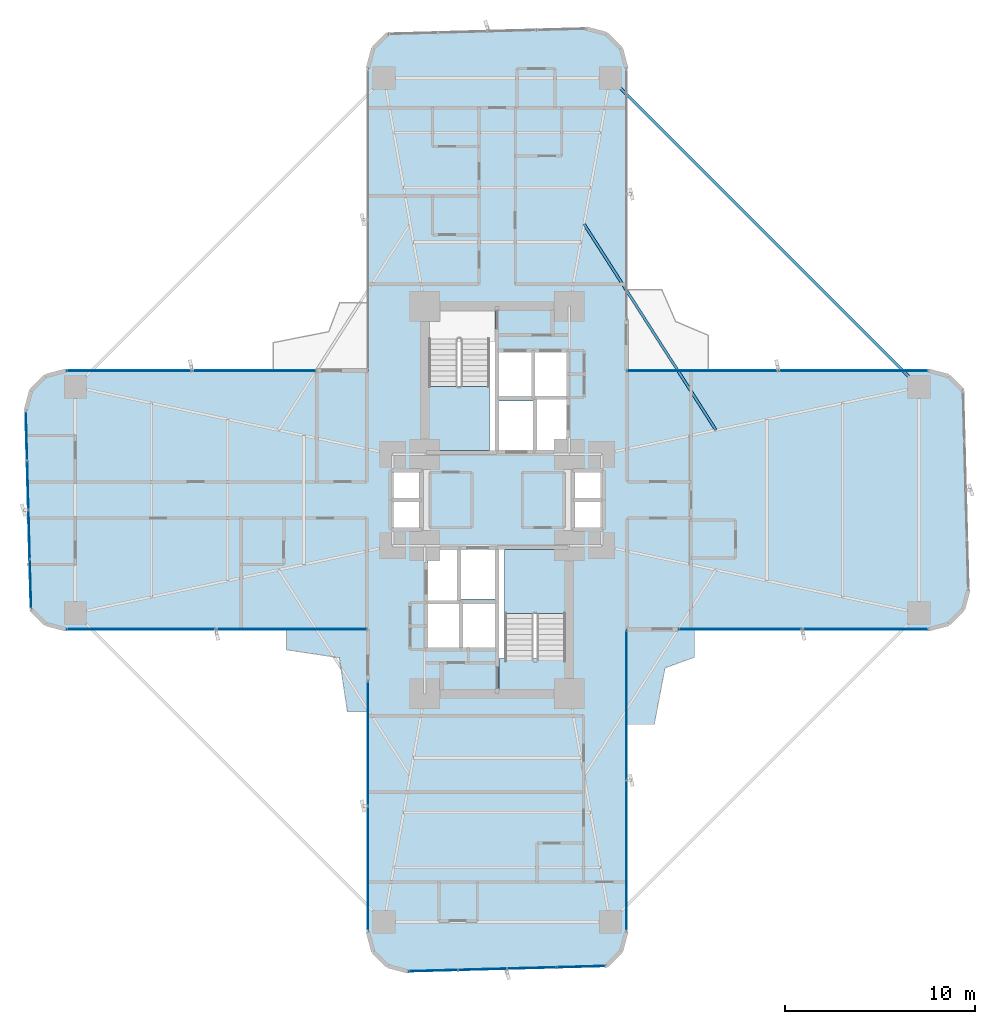
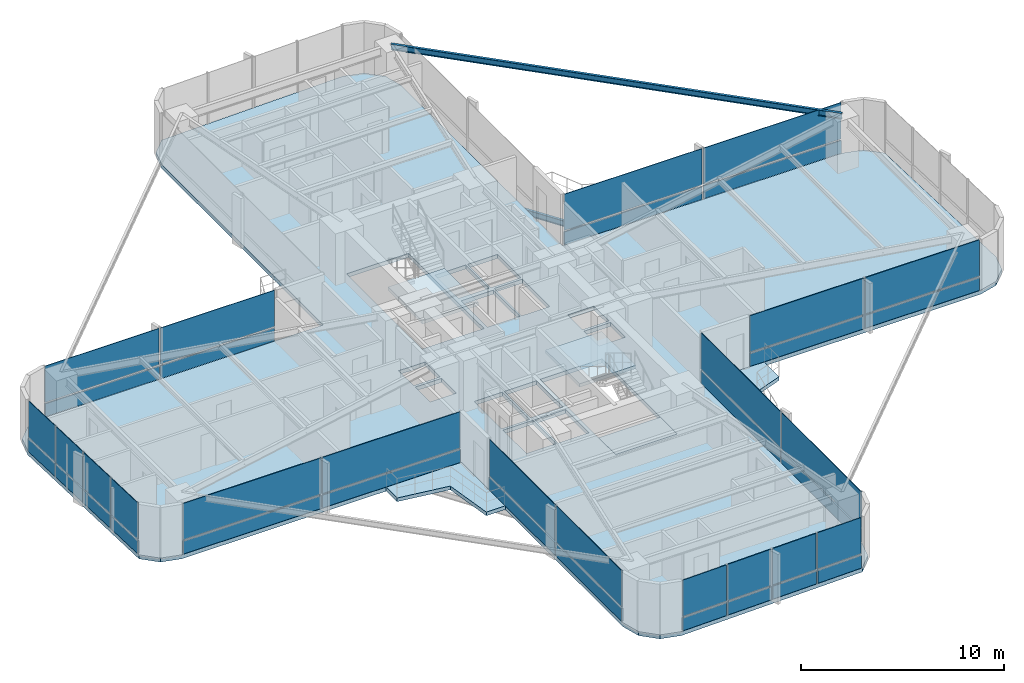
# One storey, part 20 of 26: 40 plates, 6 slabs, 2 beams, 10 elements without a shape of their own.
"""IFC4 building model written with IfcOpenShell, lengths in metres."""

from ifc_helpers import new_model, si_unit, direction, frame, origin, origin_2d, place, context, subcontext, project, spatial, polyline, rectangle, i_section, outline, extrude, source, transform, mapped, material, layer, layer_set, material_profile, profile_set, type_object, element, aggregate, save


model = new_model("IFC4")

# Units and contexts
model_context = context("Model", 3, precision=1e-05, world=origin(), true_north=direction((0.0, 1.0)))
body_context = subcontext(model_context, "Body", "Model", "MODEL_VIEW")
ifc_project = project(units=[si_unit("LENGTHUNIT", "METRE"), si_unit("AREAUNIT", "SQUARE_METRE"), si_unit("VOLUMEUNIT", "CUBIC_METRE"), si_unit("PLANEANGLEUNIT", "RADIAN"), si_unit("MASSUNIT", "GRAM", prefix="KILO")], contexts=[model_context])

# Site, building, storey
site_placement = place(None, origin())
site = spatial("IfcSite", under=ifc_project, at=site_placement, CompositionType="ELEMENT")
building_placement = place(site_placement, origin())
building = spatial("IfcBuilding", under=site, at=building_placement, Name="Sahyath Konkavel Grand Hotel", CompositionType="ELEMENT")
storey_placement = place(building_placement, frame((0.0, 0.0, 29.800048828125)))
storey = spatial("IfcBuildingStorey", under=building, at=storey_placement, Name="L07", CompositionType="ELEMENT", Elevation=29.800048828125)

# Beams
ifc_material_1 = material(Name="Steel E350", Category="steel")
ifc_material_profile_1 = material_profile(ifc_material_1, i_section(OverallWidth=0.139892578125, OverallDepth=0.35009765625, WebThickness=0.008056640625, FlangeThickness=0.01416015625, FilletRadius=0.013916015625, at=origin_2d()), Name="ISMB 350")
ifc_profile_set_1 = profile_set([ifc_material_profile_1], Name="Steel E350")
beam_type_1 = type_object("IfcBeamType", Name="BM-ISMB350", PredefinedType="BEAM", material=ifc_profile_set_1)
shared_shape_1 = source(origin(), body_context, "Body", "SweptSolid", [
    extrude(i_section(OverallWidth=0.139892578125, OverallDepth=0.35009765625, WebThickness=0.008056640625, FlangeThickness=0.01416015625, FilletRadius=0.013916015625, at=origin_2d()), origin(), (0.0, 0.0, 1.0), 22.98095703125),
])
beam_1_placement = place(storey_placement, frame((22.199951171875, 5.949951171875, 2.93505859375), z_axis=(-0.707106781187, 0.707106781187, 0.0), x_axis=(-0.707106781187, -0.707106781187, 0.0)))
element("IfcBeam", 1, at=beam_1_placement, inside=storey, type_object=beam_type_1, Name="L07 Re-Entrant Tie Beam NE", PredefinedType="BEAM", context=body_context, shape_type="MappedRepresentation", body=[
    mapped(shared_shape_1, transform((0.0, 0.0, 0.0), scale=1.0)),
])
ifc_material_profile_2 = material_profile(ifc_material_1, i_section(OverallWidth=0.139892578125, OverallDepth=0.35009765625, WebThickness=0.008056640625, FlangeThickness=0.01416015625, FilletRadius=0.013916015625, at=origin_2d()), Name="ISMB 350")
ifc_profile_set_2 = profile_set([ifc_material_profile_2], Name="Steel E350")
beam_type_2 = type_object("IfcBeamType", Name="BM-BALC-CANT", PredefinedType="BEAM", material=ifc_profile_set_2)
shared_shape_2 = source(origin(), body_context, "Body", "SweptSolid", [
    extrude(i_section(OverallWidth=0.139892578125, OverallDepth=0.35009765625, WebThickness=0.008056640625, FlangeThickness=0.01416015625, FilletRadius=0.013916015625, at=origin_2d()), origin(), (0.0, 0.0, 1.0), 12.871826171875),
])
beam_2_placement = place(storey_placement, frame((11.511962890625, 3.677978515625, -0.4150390625), z_axis=(-0.539003102535, 0.842303778608, 0.0), x_axis=(-0.842303778608, -0.539003102535, 0.0)))
element("IfcBeam", 2, at=beam_2_placement, inside=storey, type_object=beam_type_2, Name="L07 Balcony Cantilever Support Beam NE", PredefinedType="BEAM", context=body_context, shape_type="MappedRepresentation", body=[
    mapped(shared_shape_2, transform((0.0, 0.0, 0.0), scale=1.0)),
])

# Slabs
ifc_material_2 = material(Name="Concrete C40/50", Category="concrete")
ifc_layer_1 = layer(ifc_material_2, 0.239990234375)
ifc_layer_set_1 = layer_set([ifc_layer_1], Name="Concrete C40/50")
slab_type_1 = type_object("IfcSlabType", Name="SLB-240", PredefinedType="FLOOR", material=ifc_layer_set_1)
slab_1_placement = place(storey_placement, frame((0.0, 0.0, -0.239990234375)))
element("IfcSlab", 3, at=slab_1_placement, inside=storey, type_object=slab_type_1, Name="L07 Structural Floor Slab", PredefinedType="FLOOR", context=body_context, shape_type="SweptSolid", body=[
    extrude(outline(polyline([(6.800048828125, -6.800048828125), (22.699951171875, -6.800048828125), (23.75, -6.518798828125), (24.518798828125, -5.75), (24.800048828125, -4.699951171875), (24.518798828125, 5.75), (23.75, 6.518798828125), (22.699951171875, 6.800048828125), (6.800048828125, 6.800048828125), (6.800048828125, 22.699951171875), (6.518798828125, 23.75), (5.75, 24.518798828125), (4.699951171875, 24.800048828125), (-5.75, 24.518798828125), (-6.518798828125, 23.75), (-6.800048828125, 22.699951171875), (-6.800048828125, 6.800048828125), (-22.699951171875, 6.800048828125), (-23.75, 6.518798828125), (-24.518798828125, 5.75), (-24.800048828125, 4.699951171875), (-24.518798828125, -5.75), (-23.75, -6.518798828125), (-22.699951171875, -6.800048828125), (-6.800048828125, -6.800048828125), (-6.800048828125, -22.699951171875), (-6.518798828125, -23.75), (-5.75, -24.518798828125), (-4.699951171875, -24.800048828125), (5.75, -24.518798828125), (6.518798828125, -23.75), (6.800048828125, -22.699951171875), (6.800048828125, -6.800048828125)]), holes=[polyline([(-3.6201171875, 2.580078125), (-0.10009765625, 2.580078125), (-0.10009765625, 10.02001953125), (-3.6201171875, 10.02001953125), (-3.6201171875, 2.580078125)]), polyline([(0.10009765625, -10.02001953125), (3.6201171875, -10.02001953125), (3.6201171875, -2.580078125), (0.10009765625, -2.580078125), (0.10009765625, -10.02001953125)]), polyline([(0.10009765625, 2.60009765625), (1.949951171875, 2.60009765625), (1.949951171875, 5.199951171875), (0.10009765625, 5.199951171875), (0.10009765625, 2.60009765625)]), polyline([(-1.949951171875, -5.199951171875), (-0.10009765625, -5.199951171875), (-0.10009765625, -2.60009765625), (-1.949951171875, -2.60009765625), (-1.949951171875, -5.199951171875)]), polyline([(2.050048828125, 2.60009765625), (3.64990234375, 2.60009765625), (3.64990234375, 5.300048828125), (2.050048828125, 5.300048828125), (2.050048828125, 2.60009765625)]), polyline([(-3.64990234375, -5.300048828125), (-2.050048828125, -5.300048828125), (-2.050048828125, -2.60009765625), (-3.64990234375, -2.60009765625), (-3.64990234375, -5.300048828125)]), polyline([(0.10009765625, 5.449951171875), (1.85009765625, 5.449951171875), (1.85009765625, 7.75), (0.10009765625, 7.75), (0.10009765625, 5.449951171875)]), polyline([(1.949951171875, 5.449951171875), (3.64990234375, 5.449951171875), (3.64990234375, 7.75), (1.949951171875, 7.75), (1.949951171875, 5.449951171875)]), polyline([(-3.64990234375, -7.75), (-1.949951171875, -7.75), (-1.949951171875, -5.449951171875), (-3.64990234375, -5.449951171875), (-3.64990234375, -7.75)]), polyline([(-1.85009765625, -7.75), (-0.10009765625, -7.75), (-0.10009765625, -5.449951171875), (-1.85009765625, -5.449951171875), (-1.85009765625, -7.75)]), polyline([(4.050048828125, 0.080078125), (5.550048828125, 0.080078125), (5.550048828125, 1.5400390625), (4.050048828125, 1.5400390625), (4.050048828125, 0.080078125)]), polyline([(4.050048828125, -1.5400390625), (5.550048828125, -1.5400390625), (5.550048828125, -0.080078125), (4.050048828125, -0.080078125), (4.050048828125, -1.5400390625)]), polyline([(-5.550048828125, 0.080078125), (-4.050048828125, 0.080078125), (-4.050048828125, 1.5400390625), (-5.550048828125, 1.5400390625), (-5.550048828125, 0.080078125)]), polyline([(-5.550048828125, -1.5400390625), (-4.050048828125, -1.5400390625), (-4.050048828125, -0.080078125), (-5.550048828125, -0.080078125), (-5.550048828125, -1.5400390625)])]), origin(), (0.0, 0.0, 1.0), 0.239990234375),
])
ifc_layer_2 = layer(ifc_material_2, 0.219970703125)
ifc_layer_set_2 = layer_set([ifc_layer_2], Name="Concrete C40/50")
slab_type_2 = type_object("IfcSlabType", Name="SLB-BALCONY-220", PredefinedType="FLOOR", material=ifc_layer_set_2)
slab_2_placement = place(storey_placement, frame((0.0, 0.0, -0.219970703125)))
element("IfcSlab", 4, at=slab_2_placement, inside=storey, type_object=slab_type_2, Name="L07 Winter-Garden Balcony SW", PredefinedType="FLOOR", context=body_context, shape_type="SweptSolid", body=[
    extrude(outline(polyline([(-6.800048828125, -6.800048828125), (-11.077880859375, -6.800048828125), (-11.077880859375, -7.8798828125), (-8.300048828125, -8.300048828125), (-7.8798828125, -11.1220703125), (-6.800048828125, -11.1220703125), (-6.800048828125, -6.800048828125)])), origin(), (0.0, 0.0, 1.0), 0.219970703125),
])
slab_3_placement = place(storey_placement, frame((0.0, 0.0, -0.219970703125)))
element("IfcSlab", 5, at=slab_3_placement, inside=storey, type_object=slab_type_2, Name="L07 Winter-Garden Balcony SE", PredefinedType="FLOOR", context=body_context, shape_type="SweptSolid", body=[
    extrude(outline(polyline([(6.800048828125, -6.800048828125), (6.800048828125, -11.800048828125), (8.263916015625, -11.800048828125), (8.8330078125, -8.8330078125), (10.39990234375, -8.263916015625), (10.39990234375, -6.800048828125), (6.800048828125, -6.800048828125)])), origin(), (0.0, 0.0, 1.0), 0.219970703125),
])

# Stair, slab
stair_type = type_object("IfcStairType", Name="STR-ST16-335", PredefinedType="HALF_TURN_STAIR", material=ifc_material_2)
stair_1_placement = place(storey_placement, origin())
stair_1 = element("IfcStair", 6, at=stair_1_placement, inside=storey, type_object=stair_type, Name="L07 North Core Smokeproof Exit Stair ST-1", PredefinedType="HALF_TURN_STAIR")
ifc_layer_3 = layer(ifc_material_2, 0.199951171875)
ifc_layer_set_3 = layer_set([ifc_layer_3], Name="Concrete C40/50")
slab_type_3 = type_object("IfcSlabType", Name="SLB-STAIR-LND", PredefinedType="LANDING", material=ifc_layer_set_3)
slab_4_placement = place(storey_placement, frame((0.0, 0.0, 1.474853515625)))
slab_4 = element("IfcSlab", 7, at=slab_4_placement, type_object=slab_type_3, Name="ST-1 landing 1", PredefinedType="LANDING", context=body_context, shape_type="SweptSolid", body=[
    extrude(outline(polyline([(-3.60009765625, 5.9599609375), (-3.60009765625, 2.60009765625), (-0.39990234375, 2.60009765625), (-0.39990234375, 5.9599609375), (-3.60009765625, 5.9599609375)])), origin(), (0.0, 0.0, 1.0), 0.2001953125),
])
aggregate(stair_1, [slab_4])

stair_2_placement = place(storey_placement, origin())
stair_2 = element("IfcStair", 8, at=stair_2_placement, inside=storey, type_object=stair_type, Name="L07 South Core Smokeproof Exit Stair ST-2", PredefinedType="HALF_TURN_STAIR")
slab_5_placement = place(storey_placement, frame((0.0, 0.0, 1.474853515625)))
slab_5 = element("IfcSlab", 9, at=slab_5_placement, type_object=slab_type_3, Name="ST-2 landing 1", PredefinedType="LANDING", context=body_context, shape_type="SweptSolid", body=[
    extrude(outline(polyline([(3.60009765625, -5.9599609375), (3.60009765625, -2.60009765625), (0.39990234375, -2.60009765625), (0.39990234375, -5.9599609375), (3.60009765625, -5.9599609375)])), origin(), (0.0, 0.0, 1.0), 0.2001953125),
])
aggregate(stair_2, [slab_5])

# Slab
slab_6_placement = place(storey_placement, frame((0.0, 0.0, -0.199951171875)))
element("IfcSlab", 10, at=slab_6_placement, inside=storey, type_object=slab_type_3, Name="L07 Stair ST-2 Floor Landing Slab", PredefinedType="LANDING", context=body_context, shape_type="SweptSolid", body=[
    extrude(outline(polyline([(0.10009765625, -10.02001953125), (3.6201171875, -10.02001953125), (3.6201171875, -8.35009765625), (0.10009765625, -8.35009765625), (0.10009765625, -10.02001953125)])), origin(), (0.0, 0.0, 1.0), 0.199951171875),
])

# Curtain wall, plates
ifc_material_3 = material(Name="Anodised Bronze Aluminium & Low-E Glazing", Category="aluminium")
curtain_wall_type = type_object("IfcCurtainWallType", Name="CW-ZONE1", PredefinedType="NOTDEFINED", material=ifc_material_3)
curtain_wall_1_placement = place(storey_placement, origin())
curtain_wall_1 = element("IfcCurtainWall", 11, at=curtain_wall_1_placement, inside=storey, type_object=curtain_wall_type, Name="L07 Unitised Curtain Wall F7", PredefinedType="NOTDEFINED")
ifc_material_4 = material(Name="Warm Buff Sandstone Cladding", Category="masonry")
ifc_layer_4 = layer(ifc_material_4, 0.074951171875)
ifc_layer_set_4 = layer_set([ifc_layer_4], Name="Warm Buff Sandstone Cladding")
plate_type_1 = type_object("IfcPlateType", Name="PNL-SPANDREL-STONE", PredefinedType="SHEET", material=ifc_layer_set_4)
shared_shape_3 = source(origin(), body_context, "Body", "SweptSolid", [
    extrude(rectangle(XDim=7.830078125, YDim=0.074951171875, at=origin_2d()), origin(), (0.0, 0.0, 1.0), 0.77001953125),
])
plate_1_placement = place(storey_placement, frame((18.705078125, 6.800048828125, 0.0400390625), z_axis=(0.0, 0.0, 1.0), x_axis=(-1.0, 0.0, 0.0)))
plate_1 = element("IfcPlate", 12, at=plate_1_placement, type_object=plate_type_1, Name="L07 Sandstone Relief Spandrel Panel F7-0", PredefinedType="SHEET", context=body_context, shape_type="MappedRepresentation", body=[
    mapped(shared_shape_3, transform((0.0, 0.0, 0.0), scale=1.0)),
])
plate_2_placement = place(storey_placement, frame((10.794921875, 6.800048828125, 0.0400390625), z_axis=(0.0, 0.0, 1.0), x_axis=(-1.0, 0.0, 0.0)))
plate_2 = element("IfcPlate", 13, at=plate_2_placement, type_object=plate_type_1, Name="L07 Sandstone Relief Spandrel Panel F7-1", PredefinedType="SHEET", context=body_context, shape_type="MappedRepresentation", body=[
    mapped(shared_shape_3, transform((0.0, 0.0, 0.0), scale=1.0)),
])

curtain_wall_2_placement = place(storey_placement, origin())
curtain_wall_2 = element("IfcCurtainWall", 14, at=curtain_wall_2_placement, inside=storey, type_object=curtain_wall_type, Name="L07 Unitised Curtain Wall F23", PredefinedType="NOTDEFINED")
plate_3_placement = place(storey_placement, frame((-18.705078125, -6.800048828125, 0.0400390625), z_axis=(0.0, 0.0, 1.0), x_axis=(1.0, 0.0, 0.0)))
plate_3 = element("IfcPlate", 15, at=plate_3_placement, type_object=plate_type_1, Name="L07 Sandstone Relief Spandrel Panel F23-0", PredefinedType="SHEET", context=body_context, shape_type="MappedRepresentation", body=[
    mapped(shared_shape_3, transform((0.0, 0.0, 0.0), scale=1.0)),
])
plate_4_placement = place(storey_placement, frame((-10.794921875, -6.800048828125, 0.0400390625), z_axis=(0.0, 0.0, 1.0), x_axis=(1.0, 0.0, 0.0)))
plate_4 = element("IfcPlate", 16, at=plate_4_placement, type_object=plate_type_1, Name="L07 Sandstone Relief Spandrel Panel F23-1", PredefinedType="SHEET", context=body_context, shape_type="MappedRepresentation", body=[
    mapped(shared_shape_3, transform((0.0, 0.0, 0.0), scale=1.0)),
])

curtain_wall_3_placement = place(storey_placement, origin())
curtain_wall_3 = element("IfcCurtainWall", 17, at=curtain_wall_3_placement, inside=storey, type_object=curtain_wall_type, Name="L07 Unitised Curtain Wall F31", PredefinedType="NOTDEFINED")
plate_5_placement = place(storey_placement, frame((6.800048828125, -18.705078125, 0.0400390625), z_axis=(0.0, 0.0, 1.0), x_axis=(0.0, 1.0, 0.0)))
plate_5 = element("IfcPlate", 18, at=plate_5_placement, type_object=plate_type_1, Name="L07 Sandstone Relief Spandrel Panel F31-0", PredefinedType="SHEET", context=body_context, shape_type="MappedRepresentation", body=[
    mapped(shared_shape_3, transform((0.0, 0.0, 0.0), scale=1.0)),
])
plate_6_placement = place(storey_placement, frame((6.800048828125, -10.794921875, 0.0400390625), z_axis=(0.0, 0.0, 1.0), x_axis=(0.0, 1.0, 0.0)))
plate_6 = element("IfcPlate", 19, at=plate_6_placement, type_object=plate_type_1, Name="L07 Sandstone Relief Spandrel Panel F31-1", PredefinedType="SHEET", context=body_context, shape_type="MappedRepresentation", body=[
    mapped(shared_shape_3, transform((0.0, 0.0, 0.0), scale=1.0)),
])

# Plate
ifc_material_5 = material(Name="Low-E Solar Control Double Glazing", Category="glass")
ifc_layer_5 = layer(ifc_material_5, 0.035888671875)
ifc_layer_set_5 = layer_set([ifc_layer_5], Name="Low-E Solar Control Double Glazing")
plate_type_2 = type_object("IfcPlateType", Name="PNL-VISION-LOWE", PredefinedType="CURTAIN_PANEL", material=ifc_layer_set_5)
shared_shape_4 = source(origin(), body_context, "Body", "SweptSolid", [
    extrude(rectangle(XDim=7.830078125, YDim=0.035888671875, at=origin_2d()), origin(), (0.0, 0.0, 1.0), 2.179931640625),
])
plate_7_placement = place(storey_placement, frame((18.705078125, 6.800048828125, 0.89013671875), z_axis=(0.0, 0.0, 1.0), x_axis=(-1.0, 0.0, 0.0)))
plate_7 = element("IfcPlate", 20, at=plate_7_placement, type_object=plate_type_2, Name="L07 Low-E Vision Glazing Panel F7-0", PredefinedType="CURTAIN_PANEL", context=body_context, shape_type="MappedRepresentation", body=[
    mapped(shared_shape_4, transform((0.0, 0.0, 0.0), scale=1.0)),
])

plate_8_placement = place(storey_placement, frame((10.794921875, 6.800048828125, 0.89013671875), z_axis=(0.0, 0.0, 1.0), x_axis=(-1.0, 0.0, 0.0)))
plate_8 = element("IfcPlate", 21, at=plate_8_placement, type_object=plate_type_2, Name="L07 Low-E Vision Glazing Panel F7-1", PredefinedType="CURTAIN_PANEL", context=body_context, shape_type="MappedRepresentation", body=[
    mapped(shared_shape_4, transform((0.0, 0.0, 0.0), scale=1.0)),
])

aggregate(curtain_wall_1, [plate_1, plate_7, plate_2, plate_8])

plate_9_placement = place(storey_placement, frame((-18.705078125, -6.800048828125, 0.89013671875), z_axis=(0.0, 0.0, 1.0), x_axis=(1.0, 0.0, 0.0)))
plate_9 = element("IfcPlate", 22, at=plate_9_placement, type_object=plate_type_2, Name="L07 Low-E Vision Glazing Panel F23-0", PredefinedType="CURTAIN_PANEL", context=body_context, shape_type="MappedRepresentation", body=[
    mapped(shared_shape_4, transform((0.0, 0.0, 0.0), scale=1.0)),
])

plate_10_placement = place(storey_placement, frame((-10.794921875, -6.800048828125, 0.89013671875), z_axis=(0.0, 0.0, 1.0), x_axis=(1.0, 0.0, 0.0)))
plate_10 = element("IfcPlate", 23, at=plate_10_placement, type_object=plate_type_2, Name="L07 Low-E Vision Glazing Panel F23-1", PredefinedType="CURTAIN_PANEL", context=body_context, shape_type="MappedRepresentation", body=[
    mapped(shared_shape_4, transform((0.0, 0.0, 0.0), scale=1.0)),
])

aggregate(curtain_wall_2, [plate_3, plate_9, plate_4, plate_10])

plate_11_placement = place(storey_placement, frame((6.800048828125, -18.705078125, 0.89013671875), z_axis=(0.0, 0.0, 1.0), x_axis=(0.0, 1.0, 0.0)))
plate_11 = element("IfcPlate", 24, at=plate_11_placement, type_object=plate_type_2, Name="L07 Low-E Vision Glazing Panel F31-0", PredefinedType="CURTAIN_PANEL", context=body_context, shape_type="MappedRepresentation", body=[
    mapped(shared_shape_4, transform((0.0, 0.0, 0.0), scale=1.0)),
])

plate_12_placement = place(storey_placement, frame((6.800048828125, -10.794921875, 0.89013671875), z_axis=(0.0, 0.0, 1.0), x_axis=(0.0, 1.0, 0.0)))
plate_12 = element("IfcPlate", 25, at=plate_12_placement, type_object=plate_type_2, Name="L07 Low-E Vision Glazing Panel F31-1", PredefinedType="CURTAIN_PANEL", context=body_context, shape_type="MappedRepresentation", body=[
    mapped(shared_shape_4, transform((0.0, 0.0, 0.0), scale=1.0)),
])

aggregate(curtain_wall_3, [plate_5, plate_11, plate_6, plate_12])

# Curtain wall, plates
curtain_wall_4_placement = place(storey_placement, origin())
curtain_wall_4 = element("IfcCurtainWall", 26, at=curtain_wall_4_placement, inside=storey, type_object=curtain_wall_type, Name="L07 Unitised Curtain Wall F20", PredefinedType="NOTDEFINED")
shared_shape_5 = source(origin(), body_context, "Body", "SweptSolid", [
    extrude(rectangle(XDim=2.513427734375, YDim=0.074951171875, at=origin_2d()), origin(), (0.0, 0.0, 1.0), 0.77001953125),
])
plate_13_placement = place(storey_placement, frame((-24.763916015625, 3.36376953125, 0.0400390625), z_axis=(0.0, 0.0, 1.0), x_axis=(0.026909728301, -0.999637867691, 0.0)))
plate_13 = element("IfcPlate", 27, at=plate_13_placement, type_object=plate_type_1, Name="L07 Sandstone Relief Spandrel Panel F20-0", PredefinedType="SHEET", context=body_context, shape_type="MappedRepresentation", body=[
    mapped(shared_shape_5, transform((0.0, 0.0, 0.0), scale=1.0)),
])
plate_14_placement = place(storey_placement, frame((-24.694091796875, 0.771240234375, 0.0400390625), z_axis=(0.0, 0.0, 1.0), x_axis=(0.026909728301, -0.999637867691, 0.0)))
plate_14 = element("IfcPlate", 28, at=plate_14_placement, type_object=plate_type_1, Name="L07 Sandstone Relief Spandrel Panel F20-1", PredefinedType="SHEET", context=body_context, shape_type="MappedRepresentation", body=[
    mapped(shared_shape_5, transform((0.0, 0.0, 0.0), scale=1.0)),
])
plate_15_placement = place(storey_placement, frame((-24.62451171875, -1.8212890625, 0.0400390625), z_axis=(0.0, 0.0, 1.0), x_axis=(0.026909728301, -0.999637867691, 0.0)))
plate_15 = element("IfcPlate", 29, at=plate_15_placement, type_object=plate_type_1, Name="L07 Sandstone Relief Spandrel Panel F20-2", PredefinedType="SHEET", context=body_context, shape_type="MappedRepresentation", body=[
    mapped(shared_shape_5, transform((0.0, 0.0, 0.0), scale=1.0)),
])
plate_16_placement = place(storey_placement, frame((-24.5546875, -4.413818359375, 0.0400390625), z_axis=(0.0, 0.0, 1.0), x_axis=(0.026909728301, -0.999637867691, 0.0)))
plate_16 = element("IfcPlate", 30, at=plate_16_placement, type_object=plate_type_1, Name="L07 Sandstone Relief Spandrel Panel F20-3", PredefinedType="SHEET", context=body_context, shape_type="MappedRepresentation", body=[
    mapped(shared_shape_5, transform((0.0, 0.0, 0.0), scale=1.0)),
])

curtain_wall_5_placement = place(storey_placement, origin())
curtain_wall_5 = element("IfcCurtainWall", 31, at=curtain_wall_5_placement, inside=storey, type_object=curtain_wall_type, Name="L07 Unitised Curtain Wall F28", PredefinedType="NOTDEFINED")
plate_17_placement = place(storey_placement, frame((-3.36376953125, -24.763916015625, 0.0400390625), z_axis=(0.0, 0.0, 1.0), x_axis=(0.999637867691, 0.026909728301, 0.0)))
plate_17 = element("IfcPlate", 32, at=plate_17_placement, type_object=plate_type_1, Name="L07 Sandstone Relief Spandrel Panel F28-0", PredefinedType="SHEET", context=body_context, shape_type="MappedRepresentation", body=[
    mapped(shared_shape_5, transform((0.0, 0.0, 0.0), scale=1.0)),
])
plate_18_placement = place(storey_placement, frame((-0.771240234375, -24.694091796875, 0.0400390625), z_axis=(0.0, 0.0, 1.0), x_axis=(0.999637867691, 0.026909728301, 0.0)))
plate_18 = element("IfcPlate", 33, at=plate_18_placement, type_object=plate_type_1, Name="L07 Sandstone Relief Spandrel Panel F28-1", PredefinedType="SHEET", context=body_context, shape_type="MappedRepresentation", body=[
    mapped(shared_shape_5, transform((0.0, 0.0, 0.0), scale=1.0)),
])
plate_19_placement = place(storey_placement, frame((1.8212890625, -24.62451171875, 0.0400390625), z_axis=(0.0, 0.0, 1.0), x_axis=(0.999637867691, 0.026909728301, 0.0)))
plate_19 = element("IfcPlate", 34, at=plate_19_placement, type_object=plate_type_1, Name="L07 Sandstone Relief Spandrel Panel F28-2", PredefinedType="SHEET", context=body_context, shape_type="MappedRepresentation", body=[
    mapped(shared_shape_5, transform((0.0, 0.0, 0.0), scale=1.0)),
])
plate_20_placement = place(storey_placement, frame((4.413818359375, -24.5546875, 0.0400390625), z_axis=(0.0, 0.0, 1.0), x_axis=(0.999637867691, 0.026909728301, 0.0)))
plate_20 = element("IfcPlate", 35, at=plate_20_placement, type_object=plate_type_1, Name="L07 Sandstone Relief Spandrel Panel F28-3", PredefinedType="SHEET", context=body_context, shape_type="MappedRepresentation", body=[
    mapped(shared_shape_5, transform((0.0, 0.0, 0.0), scale=1.0)),
])

# Plate
shared_shape_6 = source(origin(), body_context, "Body", "SweptSolid", [
    extrude(rectangle(XDim=2.513427734375, YDim=0.035888671875, at=origin_2d()), origin(), (0.0, 0.0, 1.0), 2.179931640625),
])
plate_21_placement = place(storey_placement, frame((-24.763916015625, 3.36376953125, 0.89013671875), z_axis=(0.0, 0.0, 1.0), x_axis=(0.026909728301, -0.999637867691, 0.0)))
plate_21 = element("IfcPlate", 36, at=plate_21_placement, type_object=plate_type_2, Name="L07 Low-E Vision Glazing Panel F20-0", PredefinedType="CURTAIN_PANEL", context=body_context, shape_type="MappedRepresentation", body=[
    mapped(shared_shape_6, transform((0.0, 0.0, 0.0), scale=1.0)),
])

plate_22_placement = place(storey_placement, frame((-24.694091796875, 0.771240234375, 0.89013671875), z_axis=(0.0, 0.0, 1.0), x_axis=(0.026909728301, -0.999637867691, 0.0)))
plate_22 = element("IfcPlate", 37, at=plate_22_placement, type_object=plate_type_2, Name="L07 Low-E Vision Glazing Panel F20-1", PredefinedType="CURTAIN_PANEL", context=body_context, shape_type="MappedRepresentation", body=[
    mapped(shared_shape_6, transform((0.0, 0.0, 0.0), scale=1.0)),
])

plate_23_placement = place(storey_placement, frame((-24.62451171875, -1.8212890625, 0.89013671875), z_axis=(0.0, 0.0, 1.0), x_axis=(0.026909728301, -0.999637867691, 0.0)))
plate_23 = element("IfcPlate", 38, at=plate_23_placement, type_object=plate_type_2, Name="L07 Low-E Vision Glazing Panel F20-2", PredefinedType="CURTAIN_PANEL", context=body_context, shape_type="MappedRepresentation", body=[
    mapped(shared_shape_6, transform((0.0, 0.0, 0.0), scale=1.0)),
])

plate_24_placement = place(storey_placement, frame((-24.5546875, -4.413818359375, 0.89013671875), z_axis=(0.0, 0.0, 1.0), x_axis=(0.026909728301, -0.999637867691, 0.0)))
plate_24 = element("IfcPlate", 39, at=plate_24_placement, type_object=plate_type_2, Name="L07 Low-E Vision Glazing Panel F20-3", PredefinedType="CURTAIN_PANEL", context=body_context, shape_type="MappedRepresentation", body=[
    mapped(shared_shape_6, transform((0.0, 0.0, 0.0), scale=1.0)),
])

aggregate(curtain_wall_4, [plate_13, plate_21, plate_14, plate_22, plate_15, plate_23, plate_16, plate_24])

plate_25_placement = place(storey_placement, frame((-3.36376953125, -24.763916015625, 0.89013671875), z_axis=(0.0, 0.0, 1.0), x_axis=(0.999637867691, 0.026909728301, 0.0)))
plate_25 = element("IfcPlate", 40, at=plate_25_placement, type_object=plate_type_2, Name="L07 Low-E Vision Glazing Panel F28-0", PredefinedType="CURTAIN_PANEL", context=body_context, shape_type="MappedRepresentation", body=[
    mapped(shared_shape_6, transform((0.0, 0.0, 0.0), scale=1.0)),
])

plate_26_placement = place(storey_placement, frame((-0.771240234375, -24.694091796875, 0.89013671875), z_axis=(0.0, 0.0, 1.0), x_axis=(0.999637867691, 0.026909728301, 0.0)))
plate_26 = element("IfcPlate", 41, at=plate_26_placement, type_object=plate_type_2, Name="L07 Low-E Vision Glazing Panel F28-1", PredefinedType="CURTAIN_PANEL", context=body_context, shape_type="MappedRepresentation", body=[
    mapped(shared_shape_6, transform((0.0, 0.0, 0.0), scale=1.0)),
])

plate_27_placement = place(storey_placement, frame((1.8212890625, -24.62451171875, 0.89013671875), z_axis=(0.0, 0.0, 1.0), x_axis=(0.999637867691, 0.026909728301, 0.0)))
plate_27 = element("IfcPlate", 42, at=plate_27_placement, type_object=plate_type_2, Name="L07 Low-E Vision Glazing Panel F28-2", PredefinedType="CURTAIN_PANEL", context=body_context, shape_type="MappedRepresentation", body=[
    mapped(shared_shape_6, transform((0.0, 0.0, 0.0), scale=1.0)),
])

plate_28_placement = place(storey_placement, frame((4.413818359375, -24.5546875, 0.89013671875), z_axis=(0.0, 0.0, 1.0), x_axis=(0.999637867691, 0.026909728301, 0.0)))
plate_28 = element("IfcPlate", 43, at=plate_28_placement, type_object=plate_type_2, Name="L07 Low-E Vision Glazing Panel F28-3", PredefinedType="CURTAIN_PANEL", context=body_context, shape_type="MappedRepresentation", body=[
    mapped(shared_shape_6, transform((0.0, 0.0, 0.0), scale=1.0)),
])

aggregate(curtain_wall_5, [plate_17, plate_25, plate_18, plate_26, plate_19, plate_27, plate_20, plate_28])

# Curtain wall, plates
curtain_wall_6_placement = place(storey_placement, origin())
curtain_wall_6 = element("IfcCurtainWall", 44, at=curtain_wall_6_placement, inside=storey, type_object=curtain_wall_type, Name="L07 Unitised Curtain Wall F0", PredefinedType="NOTDEFINED")
shared_shape_7 = source(origin(), body_context, "Body", "SweptSolid", [
    extrude(rectangle(XDim=6.47998046875, YDim=0.074951171875, at=origin_2d()), origin(), (0.0, 0.0, 1.0), 0.77001953125),
])
plate_29_placement = place(storey_placement, frame((12.820068359375, -6.800048828125, 0.0400390625), z_axis=(0.0, 0.0, 1.0), x_axis=(1.0, 0.0, 0.0)))
plate_29 = element("IfcPlate", 45, at=plate_29_placement, type_object=plate_type_1, Name="L07 Sandstone Relief Spandrel Panel F0-0", PredefinedType="SHEET", context=body_context, shape_type="MappedRepresentation", body=[
    mapped(shared_shape_7, transform((0.0, 0.0, 0.0), scale=1.0)),
])
plate_30_placement = place(storey_placement, frame((19.3798828125, -6.800048828125, 0.0400390625), z_axis=(0.0, 0.0, 1.0), x_axis=(1.0, 0.0, 0.0)))
plate_30 = element("IfcPlate", 46, at=plate_30_placement, type_object=plate_type_1, Name="L07 Sandstone Relief Spandrel Panel F0-1", PredefinedType="SHEET", context=body_context, shape_type="MappedRepresentation", body=[
    mapped(shared_shape_7, transform((0.0, 0.0, 0.0), scale=1.0)),
])

curtain_wall_7_placement = place(storey_placement, origin())
curtain_wall_7 = element("IfcCurtainWall", 47, at=curtain_wall_7_placement, inside=storey, type_object=curtain_wall_type, Name="L07 Unitised Curtain Wall F16", PredefinedType="NOTDEFINED")
plate_31_placement = place(storey_placement, frame((-12.820068359375, 6.800048828125, 0.0400390625), z_axis=(0.0, 0.0, 1.0), x_axis=(-1.0, 0.0, 0.0)))
plate_31 = element("IfcPlate", 48, at=plate_31_placement, type_object=plate_type_1, Name="L07 Sandstone Relief Spandrel Panel F16-0", PredefinedType="SHEET", context=body_context, shape_type="MappedRepresentation", body=[
    mapped(shared_shape_7, transform((0.0, 0.0, 0.0), scale=1.0)),
])
plate_32_placement = place(storey_placement, frame((-19.3798828125, 6.800048828125, 0.0400390625), z_axis=(0.0, 0.0, 1.0), x_axis=(-1.0, 0.0, 0.0)))
plate_32 = element("IfcPlate", 49, at=plate_32_placement, type_object=plate_type_1, Name="L07 Sandstone Relief Spandrel Panel F16-1", PredefinedType="SHEET", context=body_context, shape_type="MappedRepresentation", body=[
    mapped(shared_shape_7, transform((0.0, 0.0, 0.0), scale=1.0)),
])

curtain_wall_8_placement = place(storey_placement, origin())
curtain_wall_8 = element("IfcCurtainWall", 50, at=curtain_wall_8_placement, inside=storey, type_object=curtain_wall_type, Name="L07 Unitised Curtain Wall F24", PredefinedType="NOTDEFINED")
plate_33_placement = place(storey_placement, frame((-6.800048828125, -12.820068359375, 0.0400390625), z_axis=(0.0, 0.0, 1.0), x_axis=(0.0, -1.0, 0.0)))
plate_33 = element("IfcPlate", 51, at=plate_33_placement, type_object=plate_type_1, Name="L07 Sandstone Relief Spandrel Panel F24-0", PredefinedType="SHEET", context=body_context, shape_type="MappedRepresentation", body=[
    mapped(shared_shape_7, transform((0.0, 0.0, 0.0), scale=1.0)),
])
plate_34_placement = place(storey_placement, frame((-6.800048828125, -19.3798828125, 0.0400390625), z_axis=(0.0, 0.0, 1.0), x_axis=(0.0, -1.0, 0.0)))
plate_34 = element("IfcPlate", 52, at=plate_34_placement, type_object=plate_type_1, Name="L07 Sandstone Relief Spandrel Panel F24-1", PredefinedType="SHEET", context=body_context, shape_type="MappedRepresentation", body=[
    mapped(shared_shape_7, transform((0.0, 0.0, 0.0), scale=1.0)),
])

# Plate
shared_shape_8 = source(origin(), body_context, "Body", "SweptSolid", [
    extrude(rectangle(XDim=6.47998046875, YDim=0.035888671875, at=origin_2d()), origin(), (0.0, 0.0, 1.0), 2.179931640625),
])
plate_35_placement = place(storey_placement, frame((12.820068359375, -6.800048828125, 0.89013671875), z_axis=(0.0, 0.0, 1.0), x_axis=(1.0, 0.0, 0.0)))
plate_35 = element("IfcPlate", 53, at=plate_35_placement, type_object=plate_type_2, Name="L07 Low-E Vision Glazing Panel F0-0", PredefinedType="CURTAIN_PANEL", context=body_context, shape_type="MappedRepresentation", body=[
    mapped(shared_shape_8, transform((0.0, 0.0, 0.0), scale=1.0)),
])

plate_36_placement = place(storey_placement, frame((19.3798828125, -6.800048828125, 0.89013671875), z_axis=(0.0, 0.0, 1.0), x_axis=(1.0, 0.0, 0.0)))
plate_36 = element("IfcPlate", 54, at=plate_36_placement, type_object=plate_type_2, Name="L07 Low-E Vision Glazing Panel F0-1", PredefinedType="CURTAIN_PANEL", context=body_context, shape_type="MappedRepresentation", body=[
    mapped(shared_shape_8, transform((0.0, 0.0, 0.0), scale=1.0)),
])

aggregate(curtain_wall_6, [plate_29, plate_35, plate_30, plate_36])

plate_37_placement = place(storey_placement, frame((-12.820068359375, 6.800048828125, 0.89013671875), z_axis=(0.0, 0.0, 1.0), x_axis=(-1.0, 0.0, 0.0)))
plate_37 = element("IfcPlate", 55, at=plate_37_placement, type_object=plate_type_2, Name="L07 Low-E Vision Glazing Panel F16-0", PredefinedType="CURTAIN_PANEL", context=body_context, shape_type="MappedRepresentation", body=[
    mapped(shared_shape_8, transform((0.0, 0.0, 0.0), scale=1.0)),
])

plate_38_placement = place(storey_placement, frame((-19.3798828125, 6.800048828125, 0.89013671875), z_axis=(0.0, 0.0, 1.0), x_axis=(-1.0, 0.0, 0.0)))
plate_38 = element("IfcPlate", 56, at=plate_38_placement, type_object=plate_type_2, Name="L07 Low-E Vision Glazing Panel F16-1", PredefinedType="CURTAIN_PANEL", context=body_context, shape_type="MappedRepresentation", body=[
    mapped(shared_shape_8, transform((0.0, 0.0, 0.0), scale=1.0)),
])

aggregate(curtain_wall_7, [plate_31, plate_37, plate_32, plate_38])

plate_39_placement = place(storey_placement, frame((-6.800048828125, -12.820068359375, 0.89013671875), z_axis=(0.0, 0.0, 1.0), x_axis=(0.0, -1.0, 0.0)))
plate_39 = element("IfcPlate", 57, at=plate_39_placement, type_object=plate_type_2, Name="L07 Low-E Vision Glazing Panel F24-0", PredefinedType="CURTAIN_PANEL", context=body_context, shape_type="MappedRepresentation", body=[
    mapped(shared_shape_8, transform((0.0, 0.0, 0.0), scale=1.0)),
])

plate_40_placement = place(storey_placement, frame((-6.800048828125, -19.3798828125, 0.89013671875), z_axis=(0.0, 0.0, 1.0), x_axis=(0.0, -1.0, 0.0)))
plate_40 = element("IfcPlate", 58, at=plate_40_placement, type_object=plate_type_2, Name="L07 Low-E Vision Glazing Panel F24-1", PredefinedType="CURTAIN_PANEL", context=body_context, shape_type="MappedRepresentation", body=[
    mapped(shared_shape_8, transform((0.0, 0.0, 0.0), scale=1.0)),
])

aggregate(curtain_wall_8, [plate_33, plate_39, plate_34, plate_40])

save(model, "model.ifc")
